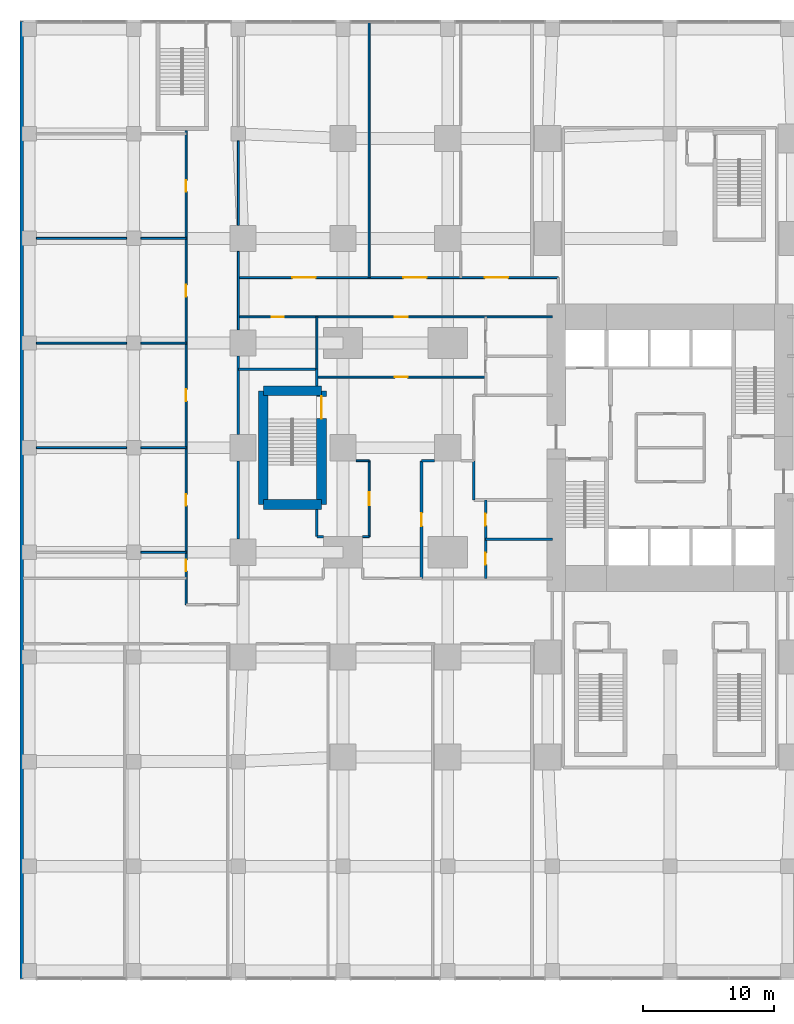
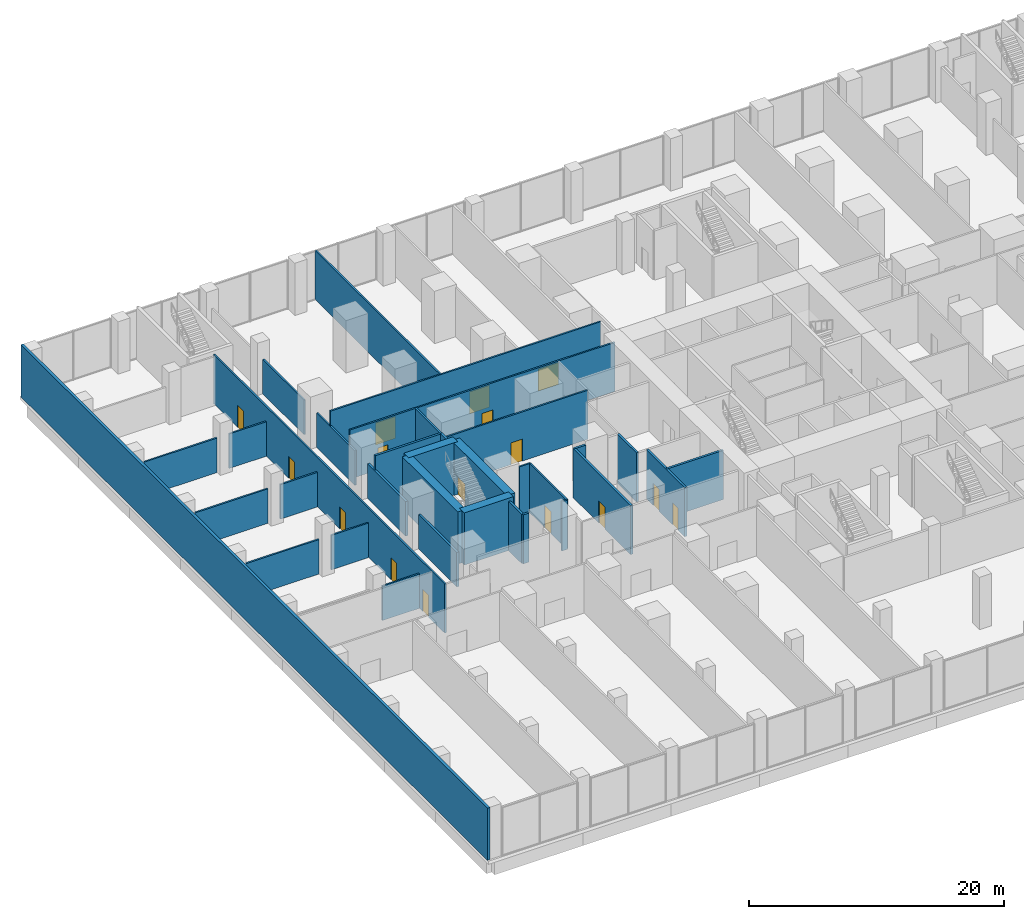
# One storey, part 13 of 22: 34 walls, 16 doors, 16 openings.
"""IFC4 building model written with IfcOpenShell, lengths in metres."""

import ifcopenshell
import ifcopenshell.guid

model = None  # the IFC model being written
_history = None  # IfcOwnerHistory: only IFC2X3 demands one
_inside = {}  # id of a spatial element -> (the spatial element, [elements in it])
_under = {}  # id of a project, library or spatial element -> (it, [spatial elements below it])
_declared = {}  # id of a project -> (the project, [libraries it declares])
_typed = {}  # id of a type object -> (the type object, [elements of that type])
_made_of = {}  # id of a material, layer set ... -> (it, [elements and type objects made of it])


def new_model(schema):
    """Start an empty IFC model of exactly this schema.

    Asked for "IFC4X3", IfcOpenShell would pick the latest addendum, in which some entities
    have other attributes; the version numbers below select the first issue.
    IFC2X3 requires an IfcOwnerHistory on every rooted entity: one is made here for all.
    """
    global model, _history
    if schema == "IFC4X3":
        model = ifcopenshell.file(schema_version=(4, 3, 0, 0))
    else:
        model = ifcopenshell.file(schema=schema)
    _inside.clear()
    _under.clear()
    _declared.clear()
    _typed.clear()
    _made_of.clear()
    _history = None
    if model.schema == "IFC2X3":
        org = make("IfcOrganization", Name="unknown")
        user = make(
            "IfcPersonAndOrganization",
            ThePerson=make("IfcPerson", FamilyName="unknown"),
            TheOrganization=org,
        )
        app = make(
            "IfcApplication",
            ApplicationDeveloper=org,
            Version="unknown",
            ApplicationFullName="unknown",
            ApplicationIdentifier="unknown",
        )
        _history = make(
            "IfcOwnerHistory",
            OwningUser=user,
            OwningApplication=app,
            ChangeAction="ADDED",
            CreationDate=0,
        )
    return model


def make(cls, **values):
    """One entity of the class cls with the attributes given. An attribute that is None is left unset."""
    return model.create_entity(
        cls, **{name: value for name, value in values.items() if value is not None}
    )


def rooted(cls, **values):
    """An entity with a GlobalId (a new one), such as an element, a storey or a relation."""
    return make(cls, GlobalId=ifcopenshell.guid.new(), OwnerHistory=_history, **values)


def si_unit(unit_type, name, prefix=None):
    """IfcSIUnit, for example si_unit("LENGTHUNIT", "METRE", prefix="MILLI")."""
    return make("IfcSIUnit", UnitType=unit_type, Prefix=prefix, Name=name)


def assignment(units):
    """IfcUnitAssignment: the units of a project."""
    return None if units is None else make("IfcUnitAssignment", Units=units)


def point(xyz):
    """IfcCartesianPoint."""
    return None if xyz is None else make("IfcCartesianPoint", Coordinates=xyz)


def direction(xyz):
    """IfcDirection."""
    return None if xyz is None else make("IfcDirection", DirectionRatios=xyz)


def frame(location, z_axis=None, x_axis=None):
    """IfcAxis2Placement3D, a coordinate frame: its origin and axes. An axis left out is left unset."""
    return make(
        "IfcAxis2Placement3D",
        Location=point(location),
        Axis=direction(z_axis),
        RefDirection=direction(x_axis),
    )


def frame_2d(location, x_axis=None):
    """IfcAxis2Placement2D, a coordinate frame in the plane: its origin and x axis."""
    return make(
        "IfcAxis2Placement2D", Location=point(location), RefDirection=direction(x_axis)
    )


def origin():
    """The frame at (0, 0, 0) with its axes left unset."""
    return frame((0.0, 0.0, 0.0))


def place(relative_to, where):
    """IfcLocalPlacement: puts the frame where relative to a parent placement (None: the world)."""
    return make(
        "IfcLocalPlacement", PlacementRelTo=relative_to, RelativePlacement=where
    )


def context(
    kind, dimensions, precision=None, world=None, true_north=None, identifier=None
):
    """IfcGeometricRepresentationContext, for example the 3D "Model" context."""
    return make(
        "IfcGeometricRepresentationContext",
        ContextIdentifier=identifier,
        ContextType=kind,
        CoordinateSpaceDimension=dimensions,
        Precision=precision,
        WorldCoordinateSystem=world,
        TrueNorth=true_north,
    )


def subcontext(parent, identifier, kind, view, scale=None):
    """IfcGeometricRepresentationSubContext, for example "Body" below "Model"."""
    return make(
        "IfcGeometricRepresentationSubContext",
        ContextIdentifier=identifier,
        ContextType=kind,
        ParentContext=parent,
        TargetScale=scale,
        TargetView=view,
    )


def project(units=None, contexts=None):
    """IfcProject with its units and contexts."""
    return rooted(
        "IfcProject",
        Name="project",
        RepresentationContexts=contexts,
        UnitsInContext=assignment(units),
    )


def spatial(cls, under=None, at=None, **own):
    """A site, building, storey or space (cls), placed at a placement, below another one or the project."""
    s = rooted(cls, ObjectPlacement=at, **own)
    if under is not None:
        _under.setdefault(under.id(), (under, []))[1].append(s)
    return s


def profile(cls, at=None, kind="AREA", **sizes):
    """A parametric profile (cls). Its sizes go by their IFC names, for example OverallWidth=200.0."""
    return make(cls, ProfileType=kind, Position=at, **sizes)


def rectangle(**sizes):
    """IfcRectangleProfileDef."""
    return profile("IfcRectangleProfileDef", **sizes)


def extrude(swept, where, along, depth):
    """IfcExtrudedAreaSolid: the profile swept, set in the frame where, extruded along a direction by depth."""
    return make(
        "IfcExtrudedAreaSolid",
        SweptArea=swept,
        Position=where,
        ExtrudedDirection=direction(along),
        Depth=depth,
    )


def shape(context_of_items, identifier, shape_type, items):
    """IfcShapeRepresentation: the items that make up one representation, for example the "Body"."""
    return make(
        "IfcShapeRepresentation",
        ContextOfItems=context_of_items,
        RepresentationIdentifier=identifier,
        RepresentationType=shape_type,
        Items=items,
    )


def material(Name=None, Category=None):
    """IfcMaterial."""
    return make("IfcMaterial", Name=Name, Category=Category)


def layer(
    of_material, thickness, ventilated=None, Name=None, Category=None, Priority=None
):
    """IfcMaterialLayer: one layer of a wall or slab, of a material (None: an air gap)."""
    return make(
        "IfcMaterialLayer",
        Material=of_material,
        LayerThickness=thickness,
        IsVentilated=ventilated,
        Name=Name,
        Category=Category,
        Priority=Priority,
    )


def layer_set(layers, Name=None):
    """IfcMaterialLayerSet."""
    return make("IfcMaterialLayerSet", MaterialLayers=layers, LayerSetName=Name)


def made_of(thing, what):
    """Note that an element or type object is made of a material, layer set ...; save() writes the relation."""
    if what is not None:
        _made_of.setdefault(what.id(), (what, []))[1].append(thing)
    return thing


def type_object(cls, material=None, **own):
    """A type object (cls), such as IfcWallType, which elements share."""
    return made_of(rooted(cls, **own), material)


def element(
    cls,
    number,
    at=None,
    inside=None,
    cuts=None,
    type_object=None,
    material=None,
    context=None,
    identifier="Body",
    shape_type=None,
    held_by="IfcProductDefinitionShape",
    body=None,
    shapes=None,
    **own,
):
    """One element of the class cls, such as IfcWall. Its Tag is "e" and its number.

    at: its placement. inside: the storey or other place that contains it. cuts: it is an
    opening in that element (IfcRelVoidsElement). A single representation is given by context,
    identifier, shape_type and body (its items); several are given by shapes. held_by: the class
    of the entity that holds the representations. save() writes the other relations.
    """
    e = rooted(cls, Tag="e%d" % number, ObjectPlacement=at, **own)
    if body is not None:
        shapes = [shape(context, identifier, shape_type, body)]
    if shapes is not None:
        e.Representation = make(held_by, Representations=shapes)
    if inside is not None:
        _inside.setdefault(inside.id(), (inside, []))[1].append(e)
    if cuts is not None:
        rooted(
            "IfcRelVoidsElement", RelatingBuildingElement=cuts, RelatedOpeningElement=e
        )
    if type_object is not None:
        _typed.setdefault(type_object.id(), (type_object, []))[1].append(e)
    return made_of(e, material)


def fill(opening, filler):
    """IfcRelFillsElement: the door or window that sits in an opening."""
    return rooted(
        "IfcRelFillsElement",
        RelatingOpeningElement=opening,
        RelatedBuildingElement=filler,
    )


def aggregate(whole, parts):
    """IfcRelAggregates: a whole, such as a stair, and the parts it consists of."""
    return rooted("IfcRelAggregates", RelatingObject=whole, RelatedObjects=parts)


def save(model, path):
    """Write the relations noted so far, then the file.

    IfcRelAggregates (storeys below a building ...), IfcRelContainedInSpatialStructure (elements
    in a storey), IfcRelDefinesByType, IfcRelAssociatesMaterial and IfcRelDeclares: one each for
    every whole, place, type object, material and project.
    """
    for whole, parts in _under.values():
        aggregate(whole, parts)
    for where, things in _inside.values():
        rooted(
            "IfcRelContainedInSpatialStructure",
            RelatedElements=things,
            RelatingStructure=where,
        )
    for kind, things in _typed.values():
        rooted("IfcRelDefinesByType", RelatedObjects=things, RelatingType=kind)
    for what, things in _made_of.values():
        rooted("IfcRelAssociatesMaterial", RelatedObjects=things, RelatingMaterial=what)
    for by, libraries in _declared.values():
        rooted("IfcRelDeclares", RelatingContext=by, RelatedDefinitions=libraries)
    model.write(path)


model = new_model("IFC4")

# Units and contexts
model_context = context("Model", 3, precision=1e-05, world=origin(), true_north=direction((0.0, 1.0)))
body_context = subcontext(model_context, "Body", "Model", "MODEL_VIEW")
ifc_project = project(units=[si_unit("LENGTHUNIT", "METRE"), si_unit("AREAUNIT", "SQUARE_METRE"), si_unit("VOLUMEUNIT", "CUBIC_METRE"), si_unit("PLANEANGLEUNIT", "RADIAN"), si_unit("MASSUNIT", "GRAM", prefix="KILO")], contexts=[model_context])

# Site, building, storey
site_placement = place(None, origin())
site = spatial("IfcSite", under=ifc_project, at=site_placement, CompositionType="ELEMENT")
building_placement = place(site_placement, origin())
building = spatial("IfcBuilding", under=site, at=building_placement, Name="Cleftline Residences", CompositionType="ELEMENT")
storey_placement = place(building_placement, frame((0.0, 0.0, 6.0)))
storey = spatial("IfcBuildingStorey", under=building, at=storey_placement, Name="L01", CompositionType="ELEMENT", Elevation=6.0)

# Walls
ifc_material_1 = material(Name="Rendered reinforced concrete blockwork", Category="masonry")
ifc_layer_1 = layer(ifc_material_1, 0.25)
ifc_layer_set_1 = layer_set([ifc_layer_1], Name="EXTERNAL WALL 250")
wall_type_1 = type_object("IfcWallType", Name="EXTERNAL WALL 250", PredefinedType="SOLIDWALL", material=ifc_layer_set_1)
wall_1_placement = place(storey_placement, frame((-16.574951171875, 56.574951171875, 0.0), z_axis=(0.0, 0.0, 1.0), x_axis=(0.0, -1.0, 0.0)))
element("IfcWall", 1, at=wall_1_placement, inside=storey, type_object=wall_type_1, Name="External wall", PredefinedType="SOLIDWALL", context=body_context, shape_type="SweptSolid", body=[
    extrude(rectangle(XDim=73.14990234375, YDim=0.25, at=frame_2d((36.574951171875, 0.0))), origin(), (0.0, 0.0, 1.0), 5.0),
])
ifc_material_2 = material(Name="Concrete blockwork, fire rated", Category="masonry")
ifc_layer_2 = layer(ifc_material_2, 0.199951171875)
ifc_layer_set_2 = layer_set([ifc_layer_2], Name="FIRE WALL 200")
wall_type_2 = type_object("IfcWallType", Name="FIRE WALL 200", PredefinedType="PARTITIONING", material=ifc_layer_set_2)
wall_2_placement = place(storey_placement, frame((18.89990234375, 17.0, 0.0), z_axis=(0.0, 0.0, 1.0), x_axis=(1.0, 0.0, 0.0)))
element("IfcWall", 2, at=wall_2_placement, inside=storey, type_object=wall_type_2, Name="Fire separating wall", PredefinedType="PARTITIONING", context=body_context, shape_type="SweptSolid", body=[
    extrude(rectangle(XDim=5.10009765625, YDim=0.199951171875, at=frame_2d((2.550048828125, 0.0))), origin(), (0.0, 0.0, 1.0), 4.699951171875),
])
wall_3_placement = place(storey_placement, frame((6.0, 17.199951171875, 0.0), z_axis=(0.0, 0.0, 1.0), x_axis=(1.0, 0.0, 0.0)))
element("IfcWall", 3, at=wall_3_placement, inside=storey, type_object=wall_type_2, Name="Fire separating wall", PredefinedType="PARTITIONING", context=body_context, shape_type="SweptSolid", body=[
    extrude(rectangle(XDim=0.5, YDim=0.199951171875, at=frame_2d((0.25, 0.0))), origin(), (0.0, 0.0, 1.0), 4.699951171875),
])
wall_4_placement = place(storey_placement, frame((14.0, 23.0, 0.0), z_axis=(0.0, 0.0, 1.0), x_axis=(1.0, 0.0, 0.0)))
element("IfcWall", 4, at=wall_4_placement, inside=storey, type_object=wall_type_2, Name="Fire separating wall", PredefinedType="PARTITIONING", context=body_context, shape_type="SweptSolid", body=[
    extrude(rectangle(XDim=1.0, YDim=0.199951171875, at=frame_2d((0.5, 0.0))), origin(), (0.0, 0.0, 1.0), 4.699951171875),
])
wall_5_placement = place(storey_placement, frame((0.0, 30.0, 0.0), z_axis=(0.0, 0.0, 1.0), x_axis=(1.0, 0.0, 0.0)))
element("IfcWall", 5, at=wall_5_placement, inside=storey, type_object=wall_type_2, Name="Fire separating wall", PredefinedType="PARTITIONING", context=body_context, shape_type="SweptSolid", body=[
    extrude(rectangle(XDim=6.0, YDim=0.199951171875, at=frame_2d((3.0, 0.0))), origin(), (0.0, 0.0, 1.0), 4.699951171875),
])
for number, where, z_axis, x_axis, name in (
    (6, (0.0, 17.0, 0.0), (0.0, 0.0, 1.0), (0.0, 1.0, 0.0), "Fire separating wall"),
    (7, (0.0, 25.0, 0.0), (0.0, 0.0, 1.0), (0.0, 1.0, 0.0), "Fire separating wall"),
):
    element("IfcWall", number, at=place(storey_placement, frame(where, z_axis=z_axis, x_axis=x_axis)), inside=storey, type_object=wall_type_2, Name=name, PredefinedType="PARTITIONING", context=body_context, shape_type="SweptSolid", body=[
        extrude(rectangle(XDim=6.0, YDim=0.199951171875, at=frame_2d((3.0, 0.0))), origin(), (0.0, 0.0, 1.0), 3.300048828125),
    ])
wall_6_placement = place(storey_placement, frame((6.0, 17.199951171875, 0.0), z_axis=(0.0, 0.0, 1.0), x_axis=(0.0, 1.0, 0.0)))
element("IfcWall", 8, at=wall_6_placement, inside=storey, type_object=wall_type_2, Name="Fire separating wall", PredefinedType="PARTITIONING", context=body_context, shape_type="SweptSolid", body=[
    extrude(rectangle(XDim=2.074951171875, YDim=0.199951171875, at=frame_2d((1.03759765625, 0.0))), origin(), (0.0, 0.0, 1.0), 4.699951171875),
])
wall_7_placement = place(storey_placement, frame((6.0, 28.72509765625, 0.0), z_axis=(0.0, 0.0, 1.0), x_axis=(0.0, 1.0, 0.0)))
element("IfcWall", 9, at=wall_7_placement, inside=storey, type_object=wall_type_2, Name="Fire separating wall", PredefinedType="PARTITIONING", context=body_context, shape_type="SweptSolid", body=[
    extrude(rectangle(XDim=1.27490234375, YDim=0.199951171875, at=frame_2d((0.637451171875, 0.0))), origin(), (0.0, 0.0, 1.0), 4.699951171875),
])

# Wall, opening, door
wall_8_placement = place(storey_placement, frame((14.0, 14.0, 0.0), z_axis=(0.0, 0.0, 1.0), x_axis=(0.0, 1.0, 0.0)))
wall_8 = element("IfcWall", 10, at=wall_8_placement, inside=storey, type_object=wall_type_2, Name="Fire separating wall", PredefinedType="PARTITIONING", context=body_context, shape_type="SweptSolid", body=[
    extrude(rectangle(XDim=9.0, YDim=0.199951171875, at=frame_2d((4.5, 0.0))), origin(), (0.0, 0.0, 1.0), 4.699951171875),
])
opening_1_placement = place(wall_8_placement, frame((4.0, 0.0, 0.0)))
opening_1 = element("IfcOpeningElement", 11, at=opening_1_placement, cuts=wall_8, Name="Opening D2F30", PredefinedType="OPENING", context=body_context, shape_type="SweptSolid", body=[
    extrude(rectangle(XDim=1.0, YDim=2.10009765625, at=frame_2d((0.5, 1.050048828125))), frame((0.0, 0.10986328125, 0.0), z_axis=(0.0, -1.0, 0.0), x_axis=(1.0, 0.0, 0.0)), (0.0, 0.0, 1.0), 0.219970703125),
])
ifc_material_3 = material(Name="Timber veneer on solid core", Category="wood")
door_type_1 = type_object("IfcDoorType", Name="DOOR 1000X2100 EI 30", OperationType="SINGLE_SWING_LEFT", PredefinedType="DOOR", material=ifc_material_3)
door_1_placement = place(opening_1_placement, origin())
door_1 = element("IfcDoor", 12, at=door_1_placement, inside=storey, type_object=door_type_1, Name="Door to wc lobby", OperationType="SINGLE_SWING_LEFT", OverallHeight=2.10009765625, OverallWidth=1.0, PredefinedType="DOOR", context=body_context, shape_type="SweptSolid", body=[
    extrude(rectangle(XDim=1.0, YDim=2.10009765625, at=frame_2d((0.5, 1.050048828125))), frame((0.0, 0.02490234375, 0.0), z_axis=(0.0, -1.0, 0.0), x_axis=(1.0, 0.0, 0.0)), (0.0, 0.0, 1.0), 0.050048828125),
])
fill(opening_1, door_1)

# Wall
wall_9_placement = place(storey_placement, frame((18.0, 20.0, 0.0), z_axis=(0.0, 0.0, 1.0), x_axis=(0.0, 1.0, 0.0)))
element("IfcWall", 13, at=wall_9_placement, inside=storey, type_object=wall_type_2, Name="Fire separating wall", PredefinedType="PARTITIONING", context=body_context, shape_type="SweptSolid", body=[
    extrude(rectangle(XDim=3.0, YDim=0.199951171875, at=frame_2d((1.5, 0.0))), origin(), (0.0, 0.0, 1.0), 4.699951171875),
])

# Wall, openings, doors
wall_10_placement = place(storey_placement, frame((18.89990234375, 14.0, 0.0), z_axis=(0.0, 0.0, 1.0), x_axis=(0.0, 1.0, 0.0)))
wall_10 = element("IfcWall", 14, at=wall_10_placement, inside=storey, type_object=wall_type_2, Name="Fire separating wall", PredefinedType="PARTITIONING", context=body_context, shape_type="SweptSolid", body=[
    extrude(rectangle(XDim=6.0, YDim=0.199951171875, at=frame_2d((3.0, 0.0))), origin(), (0.0, 0.0, 1.0), 4.699951171875),
])
opening_2_placement = place(wall_10_placement, frame((1.050048828125, 0.0, 0.0)))
opening_2 = element("IfcOpeningElement", 15, at=opening_2_placement, cuts=wall_10, Name="Opening D1F30", PredefinedType="OPENING", context=body_context, shape_type="SweptSolid", body=[
    extrude(rectangle(XDim=0.89990234375, YDim=2.10009765625, at=frame_2d((0.449951171875, 1.050048828125))), frame((0.0, 0.10986328125, 0.0), z_axis=(0.0, -1.0, 0.0), x_axis=(1.0, 0.0, 0.0)), (0.0, 0.0, 1.0), 0.219970703125),
])
opening_3_placement = place(wall_10_placement, frame((4.050048828125, 0.0, 0.0)))
opening_3 = element("IfcOpeningElement", 16, at=opening_3_placement, cuts=wall_10, Name="Opening D1F30", PredefinedType="OPENING", context=body_context, shape_type="SweptSolid", body=[
    extrude(rectangle(XDim=0.89990234375, YDim=2.10009765625, at=frame_2d((0.449951171875, 1.050048828125))), frame((0.0, 0.10986328125, 0.0), z_axis=(0.0, -1.0, 0.0), x_axis=(1.0, 0.0, 0.0)), (0.0, 0.0, 1.0), 0.219970703125),
])
ifc_material_4 = material(Name="Timber veneer on solid core", Category="wood")
door_type_2 = type_object("IfcDoorType", Name="DOOR 900X2100 EI 30", OperationType="SINGLE_SWING_LEFT", PredefinedType="DOOR", material=ifc_material_4)
door_2_placement = place(opening_2_placement, origin())
door_2 = element("IfcDoor", 17, at=door_2_placement, inside=storey, type_object=door_type_2, Name="Door to male wc", OperationType="SINGLE_SWING_RIGHT", OverallHeight=2.10009765625, OverallWidth=0.89990234375, PredefinedType="DOOR", context=body_context, shape_type="SweptSolid", body=[
    extrude(rectangle(XDim=0.89990234375, YDim=2.10009765625, at=frame_2d((0.449951171875, 1.050048828125))), frame((0.0, 0.02490234375, 0.0), z_axis=(0.0, -1.0, 0.0), x_axis=(1.0, 0.0, 0.0)), (0.0, 0.0, 1.0), 0.050048828125),
])
fill(opening_2, door_2)
door_3_placement = place(opening_3_placement, origin())
door_3 = element("IfcDoor", 18, at=door_3_placement, inside=storey, type_object=door_type_2, Name="Door to female wc", OperationType="SINGLE_SWING_LEFT", OverallHeight=2.10009765625, OverallWidth=0.89990234375, PredefinedType="DOOR", context=body_context, shape_type="SweptSolid", body=[
    extrude(rectangle(XDim=0.89990234375, YDim=2.10009765625, at=frame_2d((0.449951171875, 1.050048828125))), frame((0.0, 0.02490234375, 0.0), z_axis=(0.0, -1.0, 0.0), x_axis=(1.0, 0.0, 0.0)), (0.0, 0.0, 1.0), 0.050048828125),
])
fill(opening_3, door_3)

# Walls
ifc_material_5 = material(Name="Gypsum board on steel studs", Category="steel")
ifc_layer_3 = layer(ifc_material_5, 0.14990234375)
ifc_layer_set_3 = layer_set([ifc_layer_3], Name="PARTITION 150")
wall_type_3 = type_object("IfcWallType", Name="PARTITION 150", PredefinedType="PARTITIONING", material=ifc_layer_set_3)
wall_11_placement = place(storey_placement, frame((-7.449951171875, 16.0, 0.0), z_axis=(0.0, 0.0, 1.0), x_axis=(1.0, 0.0, 0.0)))
element("IfcWall", 19, at=wall_11_placement, inside=storey, type_object=wall_type_3, Name="Partition", PredefinedType="PARTITIONING", context=body_context, shape_type="SweptSolid", body=[
    extrude(rectangle(XDim=3.449951171875, YDim=0.14990234375, at=frame_2d((1.72509765625, 0.0))), origin(), (0.0, 0.0, 1.0), 3.300048828125),
])
wall_12_placement = place(storey_placement, frame((9.5, 17.199951171875, 0.0), z_axis=(0.0, 0.0, 1.0), x_axis=(1.0, 0.0, 0.0)))
element("IfcWall", 20, at=wall_12_placement, inside=storey, type_object=wall_type_3, Name="Partition", PredefinedType="PARTITIONING", context=body_context, shape_type="SweptSolid", body=[
    extrude(rectangle(XDim=0.5, YDim=0.14990234375, at=frame_2d((0.25, 0.0))), origin(), (0.0, 0.0, 1.0), 4.699951171875),
])
wall_13_placement = place(storey_placement, frame((9.0, 23.0, 0.0), z_axis=(0.0, 0.0, 1.0), x_axis=(1.0, 0.0, 0.0)))
element("IfcWall", 21, at=wall_13_placement, inside=storey, type_object=wall_type_3, Name="Partition", PredefinedType="PARTITIONING", context=body_context, shape_type="SweptSolid", body=[
    extrude(rectangle(XDim=1.0, YDim=0.14990234375, at=frame_2d((0.5, 0.0))), origin(), (0.0, 0.0, 1.0), 4.699951171875),
])
wall_14_placement = place(storey_placement, frame((-15.449951171875, 24.0, 0.0), z_axis=(0.0, 0.0, 1.0), x_axis=(1.0, 0.0, 0.0)))
element("IfcWall", 22, at=wall_14_placement, inside=storey, type_object=wall_type_3, Name="Partition", PredefinedType="PARTITIONING", context=body_context, shape_type="SweptSolid", body=[
    extrude(rectangle(XDim=6.89990234375, YDim=0.14990234375, at=frame_2d((3.449951171875, 0.0))), origin(), (0.0, 0.0, 1.0), 3.300048828125),
])
wall_15_placement = place(storey_placement, frame((-7.449951171875, 24.0, 0.0), z_axis=(0.0, 0.0, 1.0), x_axis=(1.0, 0.0, 0.0)))
element("IfcWall", 23, at=wall_15_placement, inside=storey, type_object=wall_type_3, Name="Partition", PredefinedType="PARTITIONING", context=body_context, shape_type="SweptSolid", body=[
    extrude(rectangle(XDim=3.449951171875, YDim=0.14990234375, at=frame_2d((1.72509765625, 0.0))), origin(), (0.0, 0.0, 1.0), 3.300048828125),
])

# Wall, opening, door
wall_16_placement = place(storey_placement, frame((6.0, 29.39990234375, 0.0), z_axis=(0.0, 0.0, 1.0), x_axis=(1.0, 0.0, 0.0)))
wall_16 = element("IfcWall", 24, at=wall_16_placement, inside=storey, type_object=wall_type_3, Name="Partition", PredefinedType="PARTITIONING", context=body_context, shape_type="SweptSolid", body=[
    extrude(rectangle(XDim=12.89990234375, YDim=0.14990234375, at=frame_2d((6.449951171875, 0.0))), origin(), (0.0, 0.0, 1.0), 4.699951171875),
])
opening_4_placement = place(wall_16_placement, frame((5.949951171875, 0.0, 0.0)))
opening_4 = element("IfcOpeningElement", 25, at=opening_4_placement, cuts=wall_16, Name="Opening D2F30", PredefinedType="OPENING", context=body_context, shape_type="SweptSolid", body=[
    extrude(rectangle(XDim=1.0, YDim=2.10009765625, at=frame_2d((0.5, 1.050048828125))), frame((0.0, 0.0849609375, 0.0), z_axis=(0.0, -1.0, 0.0), x_axis=(1.0, 0.0, 0.0)), (0.0, 0.0, 1.0), 0.169921875),
])
door_4_placement = place(opening_4_placement, origin())
door_4 = element("IfcDoor", 26, at=door_4_placement, inside=storey, type_object=door_type_1, Name="Door to podium corridor north", OperationType="SINGLE_SWING_LEFT", OverallHeight=2.10009765625, OverallWidth=1.0, PredefinedType="DOOR", context=body_context, shape_type="SweptSolid", body=[
    extrude(rectangle(XDim=1.0, YDim=2.10009765625, at=frame_2d((0.5, 1.050048828125))), frame((0.0, 0.02490234375, 0.0), z_axis=(0.0, -1.0, 0.0), x_axis=(1.0, 0.0, 0.0)), (0.0, 0.0, 1.0), 0.050048828125),
])
fill(opening_4, door_4)

# Walls
wall_17_placement = place(storey_placement, frame((-15.449951171875, 32.0, 0.0), z_axis=(0.0, 0.0, 1.0), x_axis=(1.0, 0.0, 0.0)))
element("IfcWall", 27, at=wall_17_placement, inside=storey, type_object=wall_type_3, Name="Partition", PredefinedType="PARTITIONING", context=body_context, shape_type="SweptSolid", body=[
    extrude(rectangle(XDim=6.89990234375, YDim=0.14990234375, at=frame_2d((3.449951171875, 0.0))), origin(), (0.0, 0.0, 1.0), 3.300048828125),
])
wall_18_placement = place(storey_placement, frame((-7.449951171875, 32.0, 0.0), z_axis=(0.0, 0.0, 1.0), x_axis=(1.0, 0.0, 0.0)))
element("IfcWall", 28, at=wall_18_placement, inside=storey, type_object=wall_type_3, Name="Partition", PredefinedType="PARTITIONING", context=body_context, shape_type="SweptSolid", body=[
    extrude(rectangle(XDim=3.449951171875, YDim=0.14990234375, at=frame_2d((1.72509765625, 0.0))), origin(), (0.0, 0.0, 1.0), 3.300048828125),
])

# Wall, openings, doors
wall_19_placement = place(storey_placement, frame((0.0, 34.0, 0.0), z_axis=(0.0, 0.0, 1.0), x_axis=(1.0, 0.0, 0.0)))
wall_19 = element("IfcWall", 29, at=wall_19_placement, inside=storey, type_object=wall_type_3, Name="Partition", PredefinedType="PARTITIONING", context=body_context, shape_type="SweptSolid", body=[
    extrude(rectangle(XDim=24.0, YDim=0.14990234375, at=frame_2d((12.0, 0.0))), origin(), (0.0, 0.0, 1.0), 4.699951171875),
])
opening_5_placement = place(wall_19_placement, frame((11.949951171875, 0.0, 0.0)))
opening_5 = element("IfcOpeningElement", 30, at=opening_5_placement, cuts=wall_19, Name="Opening D2F30", PredefinedType="OPENING", context=body_context, shape_type="SweptSolid", body=[
    extrude(rectangle(XDim=1.0, YDim=2.10009765625, at=frame_2d((0.5, 1.050048828125))), frame((0.0, 0.0849609375, 0.0), z_axis=(0.0, -1.0, 0.0), x_axis=(1.0, 0.0, 0.0)), (0.0, 0.0, 1.0), 0.169921875),
])
opening_6_placement = place(wall_19_placement, frame((2.550048828125, 0.0, 0.0)))
opening_6 = element("IfcOpeningElement", 31, at=opening_6_placement, cuts=wall_19, Name="Opening D1F30", PredefinedType="OPENING", context=body_context, shape_type="SweptSolid", body=[
    extrude(rectangle(XDim=0.89990234375, YDim=2.10009765625, at=frame_2d((0.449951171875, 1.050048828125))), frame((0.0, 0.0849609375, 0.0), z_axis=(0.0, -1.0, 0.0), x_axis=(1.0, 0.0, 0.0)), (0.0, 0.0, 1.0), 0.169921875),
])
door_5_placement = place(opening_5_placement, origin())
door_5 = element("IfcDoor", 32, at=door_5_placement, inside=storey, type_object=door_type_1, Name="Door to club lounge corridor", OperationType="SINGLE_SWING_LEFT", OverallHeight=2.10009765625, OverallWidth=1.0, PredefinedType="DOOR", context=body_context, shape_type="SweptSolid", body=[
    extrude(rectangle(XDim=1.0, YDim=2.10009765625, at=frame_2d((0.5, 1.050048828125))), frame((0.0, 0.02490234375, 0.0), z_axis=(0.0, -1.0, 0.0), x_axis=(1.0, 0.0, 0.0)), (0.0, 0.0, 1.0), 0.050048828125),
])
fill(opening_5, door_5)
door_6_placement = place(opening_6_placement, origin())
door_6 = element("IfcDoor", 33, at=door_6_placement, inside=storey, type_object=door_type_2, Name="Door to cloakroom", OperationType="SINGLE_SWING_RIGHT", OverallHeight=2.10009765625, OverallWidth=0.89990234375, PredefinedType="DOOR", context=body_context, shape_type="SweptSolid", body=[
    extrude(rectangle(XDim=0.89990234375, YDim=2.10009765625, at=frame_2d((0.449951171875, 1.050048828125))), frame((0.0, 0.02490234375, 0.0), z_axis=(0.0, -1.0, 0.0), x_axis=(1.0, 0.0, 0.0)), (0.0, 0.0, 1.0), 0.050048828125),
])
fill(opening_6, door_6)

wall_20_placement = place(storey_placement, frame((0.0, 37.0, 0.0), z_axis=(0.0, 0.0, 1.0), x_axis=(1.0, 0.0, 0.0)))
wall_20 = element("IfcWall", 34, at=wall_20_placement, inside=storey, type_object=wall_type_3, Name="Partition", PredefinedType="PARTITIONING", context=body_context, shape_type="SweptSolid", body=[
    extrude(rectangle(XDim=24.449951171875, YDim=0.14990234375, at=frame_2d((12.22509765625, 0.0))), origin(), (0.0, 0.0, 1.0), 4.699951171875),
])
opening_7_placement = place(wall_20_placement, frame((4.10009765625, 0.0, 0.0)))
opening_7 = element("IfcOpeningElement", 35, at=opening_7_placement, cuts=wall_20, Name="Opening D3", PredefinedType="OPENING", context=body_context, shape_type="SweptSolid", body=[
    extrude(rectangle(XDim=1.800048828125, YDim=2.10009765625, at=frame_2d((0.89990234375, 1.050048828125))), frame((0.0, 0.0849609375, 0.0), z_axis=(0.0, -1.0, 0.0), x_axis=(1.0, 0.0, 0.0)), (0.0, 0.0, 1.0), 0.169921875),
])
opening_8_placement = place(wall_20_placement, frame((12.60009765625, 0.0, 0.0)))
opening_8 = element("IfcOpeningElement", 36, at=opening_8_placement, cuts=wall_20, Name="Opening D3", PredefinedType="OPENING", context=body_context, shape_type="SweptSolid", body=[
    extrude(rectangle(XDim=1.800048828125, YDim=2.10009765625, at=frame_2d((0.89990234375, 1.050048828125))), frame((0.0, 0.0849609375, 0.0), z_axis=(0.0, -1.0, 0.0), x_axis=(1.0, 0.0, 0.0)), (0.0, 0.0, 1.0), 0.169921875),
])
opening_9_placement = place(wall_20_placement, frame((18.824951171875, 0.0, 0.0)))
opening_9 = element("IfcOpeningElement", 37, at=opening_9_placement, cuts=wall_20, Name="Opening D3", PredefinedType="OPENING", context=body_context, shape_type="SweptSolid", body=[
    extrude(rectangle(XDim=1.800048828125, YDim=2.10009765625, at=frame_2d((0.89990234375, 1.050048828125))), frame((0.0, 0.0849609375, 0.0), z_axis=(0.0, -1.0, 0.0), x_axis=(1.0, 0.0, 0.0)), (0.0, 0.0, 1.0), 0.169921875),
])
ifc_material_6 = material(Name="Timber veneer on solid core", Category="wood")
door_type_3 = type_object("IfcDoorType", Name="DOUBLE DOOR 1800X2100", OperationType="DOUBLE_DOOR_DOUBLE_SWING", PredefinedType="DOOR", material=ifc_material_6)
door_7_placement = place(opening_7_placement, origin())
door_7 = element("IfcDoor", 38, at=door_7_placement, inside=storey, type_object=door_type_3, Name="Door to residents' lounge", OperationType="DOUBLE_DOOR_DOUBLE_SWING", OverallHeight=2.10009765625, OverallWidth=1.800048828125, PredefinedType="DOOR", context=body_context, shape_type="SweptSolid", body=[
    extrude(rectangle(XDim=1.800048828125, YDim=2.10009765625, at=frame_2d((0.89990234375, 1.050048828125))), frame((0.0, 0.02490234375, 0.0), z_axis=(0.0, -1.0, 0.0), x_axis=(1.0, 0.0, 0.0)), (0.0, 0.0, 1.0), 0.050048828125),
])
fill(opening_7, door_7)
door_8_placement = place(opening_8_placement, origin())
door_8 = element("IfcDoor", 39, at=door_8_placement, inside=storey, type_object=door_type_3, Name="Door to games room", OperationType="DOUBLE_DOOR_DOUBLE_SWING", OverallHeight=2.10009765625, OverallWidth=1.800048828125, PredefinedType="DOOR", context=body_context, shape_type="SweptSolid", body=[
    extrude(rectangle(XDim=1.800048828125, YDim=2.10009765625, at=frame_2d((0.89990234375, 1.050048828125))), frame((0.0, 0.02490234375, 0.0), z_axis=(0.0, -1.0, 0.0), x_axis=(1.0, 0.0, 0.0)), (0.0, 0.0, 1.0), 0.050048828125),
])
fill(opening_8, door_8)
door_9_placement = place(opening_9_placement, origin())
door_9 = element("IfcDoor", 40, at=door_9_placement, inside=storey, type_object=door_type_3, Name="Door to private dining room", OperationType="DOUBLE_DOOR_DOUBLE_SWING", OverallHeight=2.10009765625, OverallWidth=1.800048828125, PredefinedType="DOOR", context=body_context, shape_type="SweptSolid", body=[
    extrude(rectangle(XDim=1.800048828125, YDim=2.10009765625, at=frame_2d((0.89990234375, 1.050048828125))), frame((0.0, 0.02490234375, 0.0), z_axis=(0.0, -1.0, 0.0), x_axis=(1.0, 0.0, 0.0)), (0.0, 0.0, 1.0), 0.050048828125),
])
fill(opening_9, door_9)

# Walls
wall_21_placement = place(storey_placement, frame((-15.449951171875, 40.0, 0.0), z_axis=(0.0, 0.0, 1.0), x_axis=(1.0, 0.0, 0.0)))
element("IfcWall", 41, at=wall_21_placement, inside=storey, type_object=wall_type_3, Name="Partition", PredefinedType="PARTITIONING", context=body_context, shape_type="SweptSolid", body=[
    extrude(rectangle(XDim=6.89990234375, YDim=0.14990234375, at=frame_2d((3.449951171875, 0.0))), origin(), (0.0, 0.0, 1.0), 3.300048828125),
])
wall_22_placement = place(storey_placement, frame((-7.449951171875, 40.0, 0.0), z_axis=(0.0, 0.0, 1.0), x_axis=(1.0, 0.0, 0.0)))
element("IfcWall", 42, at=wall_22_placement, inside=storey, type_object=wall_type_3, Name="Partition", PredefinedType="PARTITIONING", context=body_context, shape_type="SweptSolid", body=[
    extrude(rectangle(XDim=3.449951171875, YDim=0.14990234375, at=frame_2d((1.72509765625, 0.0))), origin(), (0.0, 0.0, 1.0), 3.300048828125),
])

# Wall, openings, doors
wall_23_placement = place(storey_placement, frame((-4.0, 12.0, 0.0), z_axis=(0.0, 0.0, 1.0), x_axis=(0.0, 1.0, 0.0)))
wall_23 = element("IfcWall", 43, at=wall_23_placement, inside=storey, type_object=wall_type_3, Name="Partition", PredefinedType="PARTITIONING", context=body_context, shape_type="SweptSolid", body=[
    extrude(rectangle(XDim=36.25, YDim=0.14990234375, at=frame_2d((18.125, 0.0))), origin(), (0.0, 0.0, 1.0), 4.699951171875),
])
opening_10_placement = place(wall_23_placement, frame((2.550048828125, 0.0, 0.0)))
opening_10 = element("IfcOpeningElement", 44, at=opening_10_placement, cuts=wall_23, Name="Opening D1", PredefinedType="OPENING", context=body_context, shape_type="SweptSolid", body=[
    extrude(rectangle(XDim=0.89990234375, YDim=2.10009765625, at=frame_2d((0.449951171875, 1.050048828125))), frame((0.0, 0.0849609375, 0.0), z_axis=(0.0, -1.0, 0.0), x_axis=(1.0, 0.0, 0.0)), (0.0, 0.0, 1.0), 0.169921875),
])
opening_11_placement = place(wall_23_placement, frame((7.550048828125, 0.0, 0.0)))
opening_11 = element("IfcOpeningElement", 45, at=opening_11_placement, cuts=wall_23, Name="Opening D1", PredefinedType="OPENING", context=body_context, shape_type="SweptSolid", body=[
    extrude(rectangle(XDim=0.89990234375, YDim=2.10009765625, at=frame_2d((0.449951171875, 1.050048828125))), frame((0.0, 0.0849609375, 0.0), z_axis=(0.0, -1.0, 0.0), x_axis=(1.0, 0.0, 0.0)), (0.0, 0.0, 1.0), 0.169921875),
])
opening_12_placement = place(wall_23_placement, frame((15.550048828125, 0.0, 0.0)))
opening_12 = element("IfcOpeningElement", 46, at=opening_12_placement, cuts=wall_23, Name="Opening D1", PredefinedType="OPENING", context=body_context, shape_type="SweptSolid", body=[
    extrude(rectangle(XDim=0.89990234375, YDim=2.10009765625, at=frame_2d((0.449951171875, 1.050048828125))), frame((0.0, 0.0849609375, 0.0), z_axis=(0.0, -1.0, 0.0), x_axis=(1.0, 0.0, 0.0)), (0.0, 0.0, 1.0), 0.169921875),
])
opening_13_placement = place(wall_23_placement, frame((23.550048828125, 0.0, 0.0)))
opening_13 = element("IfcOpeningElement", 47, at=opening_13_placement, cuts=wall_23, Name="Opening D1", PredefinedType="OPENING", context=body_context, shape_type="SweptSolid", body=[
    extrude(rectangle(XDim=0.89990234375, YDim=2.10009765625, at=frame_2d((0.449951171875, 1.050048828125))), frame((0.0, 0.0849609375, 0.0), z_axis=(0.0, -1.0, 0.0), x_axis=(1.0, 0.0, 0.0)), (0.0, 0.0, 1.0), 0.169921875),
])
opening_14_placement = place(wall_23_placement, frame((31.550048828125, 0.0, 0.0)))
opening_14 = element("IfcOpeningElement", 48, at=opening_14_placement, cuts=wall_23, Name="Opening D1", PredefinedType="OPENING", context=body_context, shape_type="SweptSolid", body=[
    extrude(rectangle(XDim=0.89990234375, YDim=2.10009765625, at=frame_2d((0.449951171875, 1.050048828125))), frame((0.0, 0.0849609375, 0.0), z_axis=(0.0, -1.0, 0.0), x_axis=(1.0, 0.0, 0.0)), (0.0, 0.0, 1.0), 0.169921875),
])
ifc_material_7 = material(Name="Timber veneer on solid core", Category="wood")
door_type_4 = type_object("IfcDoorType", Name="DOOR 900X2100", OperationType="SINGLE_SWING_LEFT", PredefinedType="DOOR", material=ifc_material_7)
door_10_placement = place(opening_10_placement, origin())
door_10 = element("IfcDoor", 49, at=door_10_placement, inside=storey, type_object=door_type_4, Name="Door to crockery store", OperationType="SINGLE_SWING_RIGHT", OverallHeight=2.10009765625, OverallWidth=0.89990234375, PredefinedType="DOOR", context=body_context, shape_type="SweptSolid", body=[
    extrude(rectangle(XDim=0.89990234375, YDim=2.10009765625, at=frame_2d((0.449951171875, 1.050048828125))), frame((0.0, 0.02490234375, 0.0), z_axis=(0.0, -1.0, 0.0), x_axis=(1.0, 0.0, 0.0)), (0.0, 0.0, 1.0), 0.050048828125),
])
fill(opening_10, door_10)
door_11_placement = place(opening_11_placement, origin())
door_11 = element("IfcDoor", 50, at=door_11_placement, inside=storey, type_object=door_type_4, Name="Door to club kitchen", OperationType="SINGLE_SWING_RIGHT", OverallHeight=2.10009765625, OverallWidth=0.89990234375, PredefinedType="DOOR", context=body_context, shape_type="SweptSolid", body=[
    extrude(rectangle(XDim=0.89990234375, YDim=2.10009765625, at=frame_2d((0.449951171875, 1.050048828125))), frame((0.0, 0.02490234375, 0.0), z_axis=(0.0, -1.0, 0.0), x_axis=(1.0, 0.0, 0.0)), (0.0, 0.0, 1.0), 0.050048828125),
])
fill(opening_11, door_11)
door_12_placement = place(opening_12_placement, origin())
door_12 = element("IfcDoor", 51, at=door_12_placement, inside=storey, type_object=door_type_4, Name="Door to club pantry", OperationType="SINGLE_SWING_RIGHT", OverallHeight=2.10009765625, OverallWidth=0.89990234375, PredefinedType="DOOR", context=body_context, shape_type="SweptSolid", body=[
    extrude(rectangle(XDim=0.89990234375, YDim=2.10009765625, at=frame_2d((0.449951171875, 1.050048828125))), frame((0.0, 0.02490234375, 0.0), z_axis=(0.0, -1.0, 0.0), x_axis=(1.0, 0.0, 0.0)), (0.0, 0.0, 1.0), 0.050048828125),
])
fill(opening_12, door_12)
door_13_placement = place(opening_13_placement, origin())
door_13 = element("IfcDoor", 52, at=door_13_placement, inside=storey, type_object=door_type_4, Name="Door to cold room", OperationType="SINGLE_SWING_LEFT", OverallHeight=2.10009765625, OverallWidth=0.89990234375, PredefinedType="DOOR", context=body_context, shape_type="SweptSolid", body=[
    extrude(rectangle(XDim=0.89990234375, YDim=2.10009765625, at=frame_2d((0.449951171875, 1.050048828125))), frame((0.0, 0.02490234375, 0.0), z_axis=(0.0, -1.0, 0.0), x_axis=(1.0, 0.0, 0.0)), (0.0, 0.0, 1.0), 0.050048828125),
])
fill(opening_13, door_13)
door_14_placement = place(opening_14_placement, origin())
door_14 = element("IfcDoor", 53, at=door_14_placement, inside=storey, type_object=door_type_4, Name="Door to dry store", OperationType="SINGLE_SWING_LEFT", OverallHeight=2.10009765625, OverallWidth=0.89990234375, PredefinedType="DOOR", context=body_context, shape_type="SweptSolid", body=[
    extrude(rectangle(XDim=0.89990234375, YDim=2.10009765625, at=frame_2d((0.449951171875, 1.050048828125))), frame((0.0, 0.02490234375, 0.0), z_axis=(0.0, -1.0, 0.0), x_axis=(1.0, 0.0, 0.0)), (0.0, 0.0, 1.0), 0.050048828125),
])
fill(opening_14, door_14)

# Walls
wall_24_placement = place(storey_placement, frame((0.0, 33.0, 0.0), z_axis=(0.0, 0.0, 1.0), x_axis=(0.0, 1.0, 0.0)))
element("IfcWall", 54, at=wall_24_placement, inside=storey, type_object=wall_type_3, Name="Partition", PredefinedType="PARTITIONING", context=body_context, shape_type="SweptSolid", body=[
    extrude(rectangle(XDim=6.0, YDim=0.14990234375, at=frame_2d((3.0, 0.0))), origin(), (0.0, 0.0, 1.0), 3.300048828125),
])
wall_25_placement = place(storey_placement, frame((0.0, 41.0, 0.0), z_axis=(0.0, 0.0, 1.0), x_axis=(0.0, 1.0, 0.0)))
element("IfcWall", 55, at=wall_25_placement, inside=storey, type_object=wall_type_3, Name="Partition", PredefinedType="PARTITIONING", context=body_context, shape_type="SweptSolid", body=[
    extrude(rectangle(XDim=6.449951171875, YDim=0.14990234375, at=frame_2d((3.22509765625, 0.0))), origin(), (0.0, 0.0, 1.0), 3.300048828125),
])
wall_26_placement = place(storey_placement, frame((6.0, 30.0, 0.0), z_axis=(0.0, 0.0, 1.0), x_axis=(0.0, 1.0, 0.0)))
element("IfcWall", 56, at=wall_26_placement, inside=storey, type_object=wall_type_3, Name="Partition", PredefinedType="PARTITIONING", context=body_context, shape_type="SweptSolid", body=[
    extrude(rectangle(XDim=4.0, YDim=0.14990234375, at=frame_2d((2.0, 0.0))), origin(), (0.0, 0.0, 1.0), 4.699951171875),
])

# Wall, opening, door
wall_27_placement = place(storey_placement, frame((10.0, 17.199951171875, 0.0), z_axis=(0.0, 0.0, 1.0), x_axis=(0.0, 1.0, 0.0)))
wall_27 = element("IfcWall", 57, at=wall_27_placement, inside=storey, type_object=wall_type_3, Name="Partition", PredefinedType="PARTITIONING", context=body_context, shape_type="SweptSolid", body=[
    extrude(rectangle(XDim=5.800048828125, YDim=0.14990234375, at=frame_2d((2.89990234375, 0.0))), origin(), (0.0, 0.0, 1.0), 4.699951171875),
])
opening_15_placement = place(wall_27_placement, frame((2.39990234375, 0.0, 0.0)))
opening_15 = element("IfcOpeningElement", 58, at=opening_15_placement, cuts=wall_27, Name="Opening D2", PredefinedType="OPENING", context=body_context, shape_type="SweptSolid", body=[
    extrude(rectangle(XDim=1.0, YDim=2.10009765625, at=frame_2d((0.5, 1.050048828125))), frame((0.0, 0.0849609375, 0.0), z_axis=(0.0, -1.0, 0.0), x_axis=(1.0, 0.0, 0.0)), (0.0, 0.0, 1.0), 0.169921875),
])
ifc_material_8 = material(Name="Timber veneer on solid core", Category="wood")
door_type_5 = type_object("IfcDoorType", Name="DOOR 1000X2100", OperationType="SINGLE_SWING_LEFT", PredefinedType="DOOR", material=ifc_material_8)
door_15_placement = place(opening_15_placement, origin())
door_15 = element("IfcDoor", 59, at=door_15_placement, inside=storey, type_object=door_type_5, Name="Door to club office", OperationType="SINGLE_SWING_LEFT", OverallHeight=2.10009765625, OverallWidth=1.0, PredefinedType="DOOR", context=body_context, shape_type="SweptSolid", body=[
    extrude(rectangle(XDim=1.0, YDim=2.10009765625, at=frame_2d((0.5, 1.050048828125))), frame((0.0, 0.02490234375, 0.0), z_axis=(0.0, -1.0, 0.0), x_axis=(1.0, 0.0, 0.0)), (0.0, 0.0, 1.0), 0.050048828125),
])
fill(opening_15, door_15)

# Walls
wall_28_placement = place(storey_placement, frame((10.0, 37.0, 0.0), z_axis=(0.0, 0.0, 1.0), x_axis=(0.0, 1.0, 0.0)))
element("IfcWall", 60, at=wall_28_placement, inside=storey, type_object=wall_type_3, Name="Partition", PredefinedType="PARTITIONING", context=body_context, shape_type="SweptSolid", body=[
    extrude(rectangle(XDim=19.56103515625, YDim=0.14990234375, at=frame_2d((9.780517578125, 0.0))), origin(), (0.0, 0.0, 1.0), 4.699951171875),
])
ifc_material_9 = material(Name="Concrete B70", Category="concrete")
ifc_layer_4 = layer(ifc_material_9, 0.75)
ifc_layer_set_4 = layer_set([ifc_layer_4], Name="SHEAR WALL 750")
wall_type_4 = type_object("IfcWallType", Name="SHEAR WALL 750", PredefinedType="SHEAR", material=ifc_layer_set_4)
wall_29_placement = place(storey_placement, frame((1.89990234375, 19.64990234375, 0.0), z_axis=(0.0, 0.0, 1.0), x_axis=(1.0, 0.0, 0.0)))
element("IfcWall", 61, at=wall_29_placement, inside=storey, type_object=wall_type_4, Name="Wing shear wall", PredefinedType="SHEAR", context=body_context, shape_type="SweptSolid", body=[
    extrude(rectangle(XDim=4.4501953125, YDim=0.75, at=frame_2d((2.22509765625, 0.0))), origin(), (0.0, 0.0, 1.0), 5.0),
])

# Wall, opening, door
wall_30_placement = place(storey_placement, frame((6.35009765625, 19.64990234375, 0.0), z_axis=(0.0, 0.0, 1.0), x_axis=(0.0, 1.0, 0.0)))
wall_30 = element("IfcWall", 62, at=wall_30_placement, inside=storey, type_object=wall_type_4, Name="Wing shear wall", PredefinedType="SHEAR", context=body_context, shape_type="SweptSolid", body=[
    extrude(rectangle(XDim=8.7001953125, YDim=0.75, at=frame_2d((4.35009765625, 0.0))), origin(), (0.0, 0.0, 1.0), 5.0),
])
opening_16_placement = place(wall_30_placement, frame((6.574951171875, 0.0, 0.0)))
opening_16 = element("IfcOpeningElement", 63, at=opening_16_placement, cuts=wall_30, Name="Opening D10", PredefinedType="OPENING", context=body_context, shape_type="SweptSolid", body=[
    extrude(rectangle(XDim=1.699951171875, YDim=2.10009765625, at=frame_2d((0.85009765625, 1.050048828125))), frame((0.0, 0.385009765625, 0.0), z_axis=(0.0, -1.0, 0.0), x_axis=(1.0, 0.0, 0.0)), (0.0, 0.0, 1.0), 0.77001953125),
])
ifc_material_10 = material(Name="Steel", Category="steel")
door_type_6 = type_object("IfcDoorType", Name="STAIR DOOR 1700X2100", OperationType="DOUBLE_DOOR_SINGLE_SWING", PredefinedType="DOOR", material=ifc_material_10)
door_16_placement = place(opening_16_placement, origin())
door_16 = element("IfcDoor", 64, at=door_16_placement, inside=storey, type_object=door_type_6, Name="Stair W door", OperationType="DOUBLE_DOOR_SINGLE_SWING", OverallHeight=2.10009765625, OverallWidth=1.699951171875, PredefinedType="DOOR", context=body_context, shape_type="SweptSolid", body=[
    extrude(rectangle(XDim=1.699951171875, YDim=2.10009765625, at=frame_2d((0.85009765625, 1.050048828125))), frame((0.0, 0.02490234375, 0.0), z_axis=(0.0, -1.0, 0.0), x_axis=(1.0, 0.0, 0.0)), (0.0, 0.0, 1.0), 0.050048828125),
])
fill(opening_16, door_16)

# Walls
wall_31_placement = place(storey_placement, frame((6.35009765625, 28.35009765625, 0.0), z_axis=(0.0, 0.0, 1.0), x_axis=(-1.0, 0.0, 0.0)))
element("IfcWall", 65, at=wall_31_placement, inside=storey, type_object=wall_type_4, Name="Wing shear wall", PredefinedType="SHEAR", context=body_context, shape_type="SweptSolid", body=[
    extrude(rectangle(XDim=4.4501953125, YDim=0.75, at=frame_2d((2.22509765625, 0.0))), origin(), (0.0, 0.0, 1.0), 5.0),
])
wall_32_placement = place(storey_placement, frame((1.89990234375, 28.35009765625, 0.0), z_axis=(0.0, 0.0, 1.0), x_axis=(0.0, -1.0, 0.0)))
element("IfcWall", 66, at=wall_32_placement, inside=storey, type_object=wall_type_4, Name="Wing shear wall", PredefinedType="SHEAR", context=body_context, shape_type="SweptSolid", body=[
    extrude(rectangle(XDim=8.7001953125, YDim=0.75, at=frame_2d((4.35009765625, 0.0))), origin(), (0.0, 0.0, 1.0), 5.0),
])

save(model, "model.ifc")
